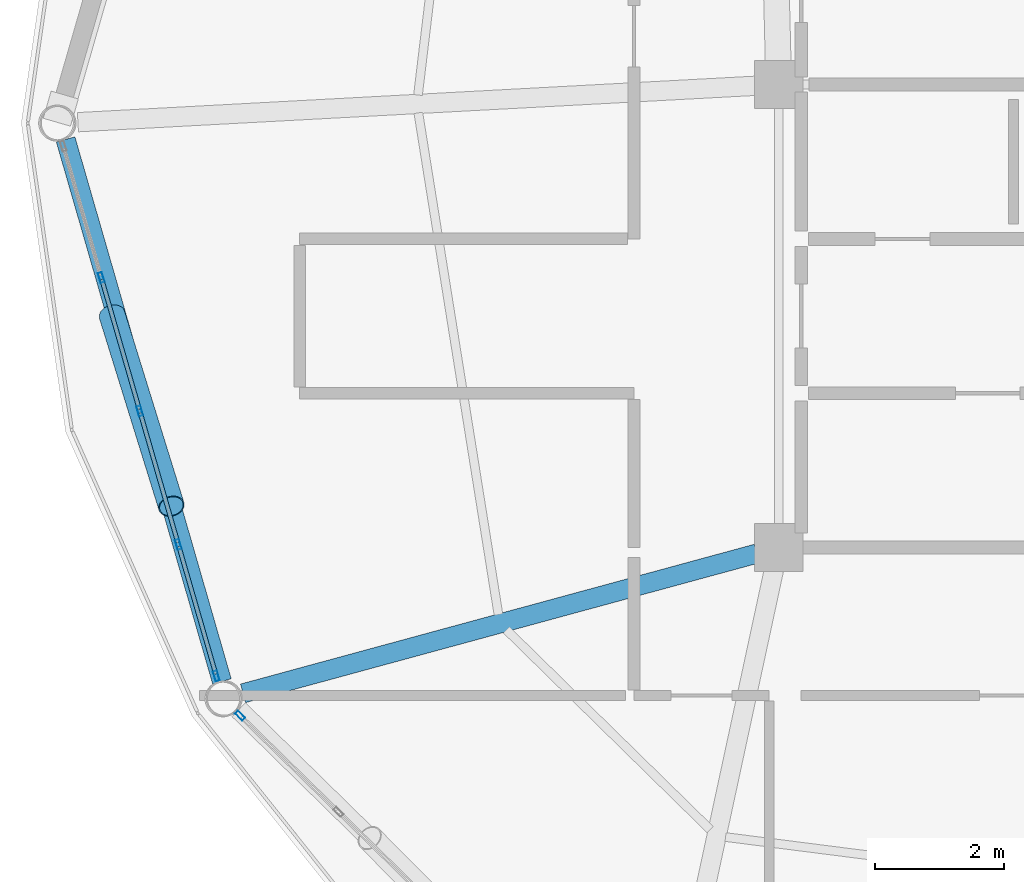
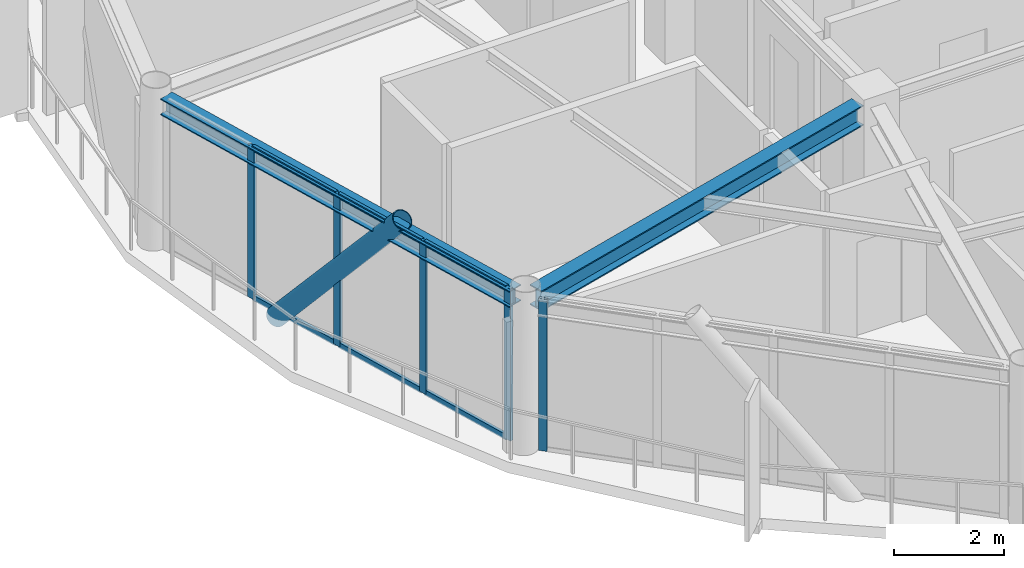
# One storey, part 4 of 25: 12 members, 2 beams, 2 elements without a shape of their own.
"""IFC4 building model written with IfcOpenShell, lengths in metres."""

from ifc_helpers import new_model, si_unit, direction, frame, origin, origin_2d, place, context, subcontext, project, spatial, hollow_rectangle, hollow_circle, i_section, extrude, material, layer, layer_set, material_profile, profile_set, type_object, element, aggregate, save


model = new_model("IFC4")

# Units and contexts
model_context = context("Model", 3, precision=1e-05, world=origin(), true_north=direction((0.0, 1.0)))
body_context = subcontext(model_context, "Body", "Model", "MODEL_VIEW")
ifc_project = project(units=[si_unit("LENGTHUNIT", "METRE"), si_unit("AREAUNIT", "SQUARE_METRE"), si_unit("VOLUMEUNIT", "CUBIC_METRE"), si_unit("PLANEANGLEUNIT", "RADIAN"), si_unit("MASSUNIT", "GRAM", prefix="KILO")], contexts=[model_context])

# Site, building, storey
site_placement = place(None, origin())
site = spatial("IfcSite", under=ifc_project, at=site_placement, CompositionType="ELEMENT")
building_placement = place(site_placement, origin())
building = spatial("IfcBuilding", under=site, at=building_placement, Name="Varnakorn Sky Granary", CompositionType="ELEMENT")
storey_placement = place(building_placement, frame((0.0, 0.0, 252.60009765625)))
storey = spatial("IfcBuildingStorey", under=building, at=storey_placement, Name="L64", CompositionType="ELEMENT", Elevation=252.60009765625)

# Beams
ifc_material_1 = material(Name="Steel S355JR", Category="steel")
ifc_material_profile_1 = material_profile(ifc_material_1, i_section(OverallWidth=0.300048828125, OverallDepth=0.449951171875, WebThickness=0.013916015625, FlangeThickness=0.02587890625, at=origin_2d()), Name="HE 450 B")
ifc_profile_set_1 = profile_set([ifc_material_profile_1], Name="Steel S355JR")
beam_type_1 = type_object("IfcBeamType", Name="BM-RAD-Z5", PredefinedType="BEAM", material=ifc_profile_set_1)
beam_1_placement = place(storey_placement, frame((-2.692626953125, -6.693115234375, 3.135009765625), z_axis=(-0.964931102862, -0.262503269942, 0.0), x_axis=(0.262503269942, -0.964931102862, 0.0)))
element("IfcBeam", 1, at=beam_1_placement, inside=storey, type_object=beam_type_1, Name="Radial Floor Girder RG08 L64", PredefinedType="BEAM", context=body_context, shape_type="SweptSolid", body=[
    extrude(i_section(OverallWidth=0.300048828125, OverallDepth=0.449951171875, WebThickness=0.013916015625, FlangeThickness=0.02587890625, at=origin_2d()), origin(), (0.0, 0.0, 1.0), 8.275634765625),
])
ifc_material_profile_2 = material_profile(ifc_material_1, i_section(OverallWidth=0.300048828125, OverallDepth=0.360107421875, WebThickness=0.012451171875, FlangeThickness=0.0224609375, at=origin_2d()), Name="HE 360 B")
ifc_profile_set_2 = profile_set([ifc_material_profile_2], Name="Steel S355JR")
beam_type_2 = type_object("IfcBeamType", Name="BM-SPD-Z5", PredefinedType="SPANDREL", material=ifc_profile_set_2)
beam_2_placement = place(storey_placement, frame((-13.436767578125, -0.254150390625, 3.179931640625), z_axis=(0.277095414321, -0.960842407142, 0.0), x_axis=(0.960842407142, 0.277095414321, 0.0)))
element("IfcBeam", 2, at=beam_2_placement, inside=storey, type_object=beam_type_2, Name="Perimeter Spandrel Ring Beam RB07 L64", PredefinedType="SPANDREL", context=body_context, shape_type="SweptSolid", body=[
    extrude(i_section(OverallWidth=0.300048828125, OverallDepth=0.360107421875, WebThickness=0.012451171875, FlangeThickness=0.0224609375, at=origin_2d()), origin(), (0.0, 0.0, 1.0), 8.770263671875),
])

# Curtain wall, members
ifc_material_2 = material(Name="Anodised Bronze Aluminium Alloy 6063-T6", Category="aluminium")
ifc_layer = layer(ifc_material_2, 0.159912109375, Name="Anodised Bronze Aluminium Alloy 6063-T6")
ifc_layer_set = layer_set([ifc_layer], Name="Anodised Bronze Aluminium Alloy 6063-T6")
curtain_wall_type = type_object("IfcCurtainWallType", Name="CW-OFF-1", PredefinedType="USERDEFINED", material=ifc_layer_set)
curtain_wall_1_placement = place(storey_placement, origin())
curtain_wall_1 = element("IfcCurtainWall", 3, at=curtain_wall_1_placement, inside=storey, type_object=curtain_wall_type, Name="Unitised Curtain Wall CW6 CW-L64-B07", ObjectType="CURTAIN WALL", PredefinedType="USERDEFINED")
ifc_material_profile_3 = material_profile(ifc_material_2, hollow_rectangle(XDim=0.06494140625, YDim=0.159912109375, WallThickness=0.00341796875, at=origin_2d()), Name="ALU MULL 65x160")
ifc_profile_set_3 = profile_set([ifc_material_profile_3], Name="Anodised Bronze Aluminium Alloy 6063-T6")
member_type_1 = type_object("IfcMemberType", Name="CW-OFF-1-MULL", PredefinedType="MULLION", material=ifc_profile_set_3)
member_1_placement = place(storey_placement, frame((-11.094482421875, -8.594482421875, 0.0), z_axis=(0.0, 0.0, 1.0), x_axis=(-0.960725361921, -0.277500953082, 0.0)))
member_1 = element("IfcMember", 4, at=member_1_placement, type_object=member_type_1, Name="CW6 mullion 1", PredefinedType="MULLION", context=body_context, shape_type="SweptSolid", body=[
    extrude(hollow_rectangle(XDim=0.06494140625, YDim=0.159912109375, WallThickness=0.00341796875, at=origin_2d()), origin(), (0.0, 0.0, 1.0), 3.35986328125),
])
member_2_placement = place(storey_placement, frame((-11.684814453125, -6.55078125, 0.0), z_axis=(0.0, 0.0, 1.0), x_axis=(-0.960725361921, -0.277500953082, 0.0)))
member_2 = element("IfcMember", 5, at=member_2_placement, type_object=member_type_1, Name="CW6 mullion 2", PredefinedType="MULLION", context=body_context, shape_type="SweptSolid", body=[
    extrude(hollow_rectangle(XDim=0.06494140625, YDim=0.159912109375, WallThickness=0.00341796875, at=origin_2d()), origin(), (0.0, 0.0, 1.0), 3.35986328125),
])
member_3_placement = place(storey_placement, frame((-12.2841796875, -4.47607421875, 0.0), z_axis=(0.0, 0.0, 1.0), x_axis=(-0.960725361921, -0.277500953082, 0.0)))
member_3 = element("IfcMember", 6, at=member_3_placement, type_object=member_type_1, Name="CW6 mullion 3", PredefinedType="MULLION", context=body_context, shape_type="SweptSolid", body=[
    extrude(hollow_rectangle(XDim=0.06494140625, YDim=0.159912109375, WallThickness=0.00341796875, at=origin_2d()), origin(), (0.0, 0.0, 1.0), 3.35986328125),
])
member_4_placement = place(storey_placement, frame((-12.883544921875, -2.401123046875, 0.0), z_axis=(0.0, 0.0, 1.0), x_axis=(-0.960725361921, -0.277500953082, 0.0)))
member_4 = element("IfcMember", 7, at=member_4_placement, type_object=member_type_1, Name="CW6 mullion 4", PredefinedType="MULLION", context=body_context, shape_type="SweptSolid", body=[
    extrude(hollow_rectangle(XDim=0.06494140625, YDim=0.159912109375, WallThickness=0.00341796875, at=origin_2d()), origin(), (0.0, 0.0, 1.0), 3.35986328125),
])

# Curtain wall, member
curtain_wall_2_placement = place(storey_placement, origin())
curtain_wall_2 = element("IfcCurtainWall", 8, at=curtain_wall_2_placement, inside=storey, type_object=curtain_wall_type, Name="Unitised Curtain Wall CW6 CW-L64-B08", ObjectType="CURTAIN WALL", PredefinedType="USERDEFINED")
member_5_placement = place(storey_placement, frame((-10.7255859375, -9.212158203125, 0.0), z_axis=(0.0, 0.0, 1.0), x_axis=(-0.699482431072, -0.71464979439, 0.0)))
member_5 = element("IfcMember", 9, at=member_5_placement, type_object=member_type_1, Name="CW6 mullion 5", PredefinedType="MULLION", context=body_context, shape_type="SweptSolid", body=[
    extrude(hollow_rectangle(XDim=0.06494140625, YDim=0.159912109375, WallThickness=0.00341796875, at=origin_2d()), origin(), (0.0, 0.0, 1.0), 3.35986328125),
])
aggregate(curtain_wall_2, [member_5])

# Member
ifc_material_profile_4 = material_profile(ifc_material_2, hollow_rectangle(XDim=0.06494140625, YDim=0.1201171875, WallThickness=0.00341796875, at=origin_2d()), Name="ALU TRAN 65x120")
ifc_profile_set_4 = profile_set([ifc_material_profile_4], Name="Anodised Bronze Aluminium Alloy 6063-T6")
member_type_2 = type_object("IfcMemberType", Name="CW-OFF-1-TRAN", PredefinedType="USERDEFINED", material=ifc_profile_set_4)
member_6_placement = place(storey_placement, frame((-11.103515625, -8.563232421875, 0.032470703125), z_axis=(-0.277503229464, 0.960724704396, 0.0), x_axis=(-0.960724704396, -0.277503229464, 0.0)))
member_6 = element("IfcMember", 10, at=member_6_placement, type_object=member_type_2, Name="CW6 transom 1.1", ObjectType="TRANSOM", PredefinedType="USERDEFINED", context=body_context, shape_type="SweptSolid", body=[
    extrude(hollow_rectangle(XDim=0.06494140625, YDim=0.1201171875, WallThickness=0.00341796875, at=origin_2d()), origin(), (0.0, 0.0, 1.0), 2.062255859375),
])

member_7_placement = place(storey_placement, frame((-11.103515625, -8.563232421875, 3.327392578125), z_axis=(-0.277503229464, 0.960724704396, 0.0), x_axis=(-0.960724704396, -0.277503229464, 0.0)))
member_7 = element("IfcMember", 11, at=member_7_placement, type_object=member_type_2, Name="CW6 transom 1.2", ObjectType="TRANSOM", PredefinedType="USERDEFINED", context=body_context, shape_type="SweptSolid", body=[
    extrude(hollow_rectangle(XDim=0.06494140625, YDim=0.1201171875, WallThickness=0.00341796875, at=origin_2d()), origin(), (0.0, 0.0, 1.0), 2.062255859375),
])

member_8_placement = place(storey_placement, frame((-11.69384765625, -6.519775390625, 0.032470703125), z_axis=(-0.27750618562, 0.960723850512, 0.0), x_axis=(-0.960723850512, -0.27750618562, 0.0)))
member_8 = element("IfcMember", 12, at=member_8_placement, type_object=member_type_2, Name="CW6 transom 2.1", ObjectType="TRANSOM", PredefinedType="USERDEFINED", context=body_context, shape_type="SweptSolid", body=[
    extrude(hollow_rectangle(XDim=0.06494140625, YDim=0.1201171875, WallThickness=0.00341796875, at=origin_2d()), origin(), (0.0, 0.0, 1.0), 2.0947265625),
])

member_9_placement = place(storey_placement, frame((-11.69384765625, -6.519775390625, 3.327392578125), z_axis=(-0.27750618562, 0.960723850512, 0.0), x_axis=(-0.960723850512, -0.27750618562, 0.0)))
member_9 = element("IfcMember", 13, at=member_9_placement, type_object=member_type_2, Name="CW6 transom 2.2", ObjectType="TRANSOM", PredefinedType="USERDEFINED", context=body_context, shape_type="SweptSolid", body=[
    extrude(hollow_rectangle(XDim=0.06494140625, YDim=0.1201171875, WallThickness=0.00341796875, at=origin_2d()), origin(), (0.0, 0.0, 1.0), 2.0947265625),
])

member_10_placement = place(storey_placement, frame((-12.293212890625, -4.44482421875, 0.032470703125), z_axis=(-0.27750618562, 0.960723850512, 0.0), x_axis=(-0.960723850512, -0.27750618562, 0.0)))
member_10 = element("IfcMember", 14, at=member_10_placement, type_object=member_type_2, Name="CW6 transom 3.1", ObjectType="TRANSOM", PredefinedType="USERDEFINED", context=body_context, shape_type="SweptSolid", body=[
    extrude(hollow_rectangle(XDim=0.06494140625, YDim=0.1201171875, WallThickness=0.00341796875, at=origin_2d()), origin(), (0.0, 0.0, 1.0), 2.0947265625),
])

member_11_placement = place(storey_placement, frame((-12.293212890625, -4.44482421875, 3.327392578125), z_axis=(-0.27750618562, 0.960723850512, 0.0), x_axis=(-0.960723850512, -0.27750618562, 0.0)))
member_11 = element("IfcMember", 15, at=member_11_placement, type_object=member_type_2, Name="CW6 transom 3.2", ObjectType="TRANSOM", PredefinedType="USERDEFINED", context=body_context, shape_type="SweptSolid", body=[
    extrude(hollow_rectangle(XDim=0.06494140625, YDim=0.1201171875, WallThickness=0.00341796875, at=origin_2d()), origin(), (0.0, 0.0, 1.0), 2.0947265625),
])

aggregate(curtain_wall_1, [member_1, member_2, member_3, member_4, member_6, member_7, member_8, member_9, member_10, member_11])

ifc_material_3 = material(Name="Steel S460M", Category="steel")
ifc_material_profile_5 = material_profile(ifc_material_3, hollow_circle(Radius=0.203125, WallThickness=0.01611328125, at=origin_2d()), Name="CHS 406.4x16")
ifc_profile_set_5 = profile_set([ifc_material_profile_5], Name="Steel S460M")
member_type_3 = type_object("IfcMemberType", Name="MB-DIAG-T4", PredefinedType="BRACE", material=ifc_profile_set_5)
member_12_placement = place(storey_placement, frame((-12.715087890625, -2.98388671875, -0.130126953125), z_axis=(0.193291016837, -0.62267320424, 0.758232591974), x_axis=(0.955043463646, 0.296465820201, 0.0)))
element("IfcMember", 16, at=member_12_placement, inside=storey, type_object=member_type_3, Name="Perimeter CHS Diagrid Brace DG07 L64", PredefinedType="BRACE", context=body_context, shape_type="SweptSolid", body=[
    extrude(hollow_circle(Radius=0.203125, WallThickness=0.01611328125, at=origin_2d()), origin(), (0.0, 0.0, 1.0), 4.7744140625),
])

save(model, "model.ifc")
